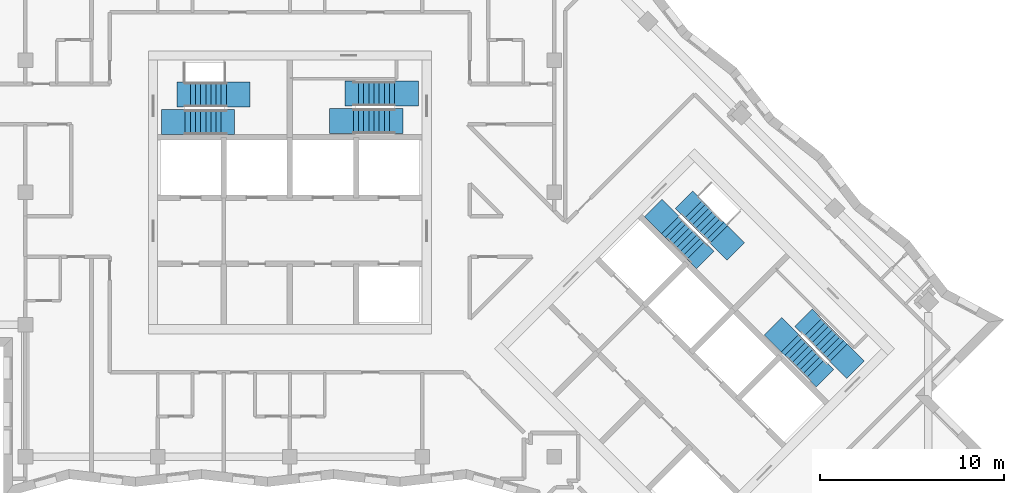
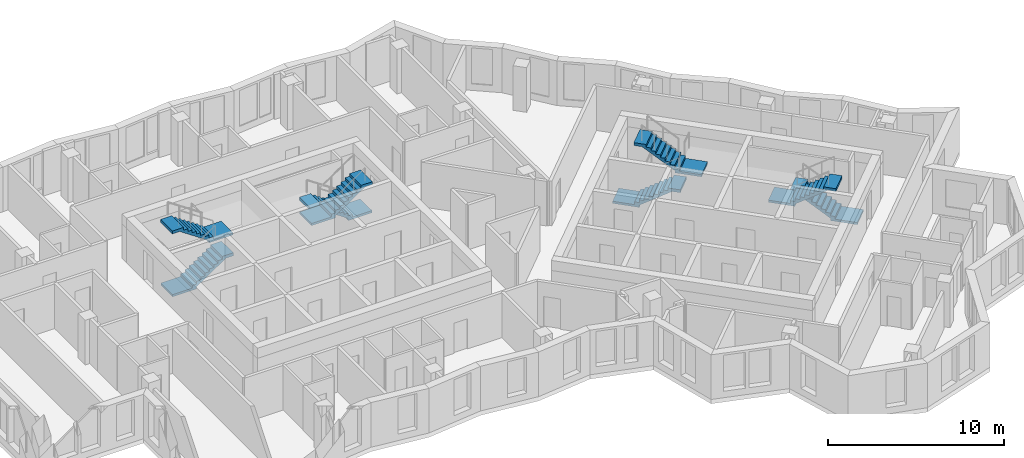
# One storey, part 10 of 13: 8 stair flights, 4 elements without a shape of their own.
"""IFC4 building model written with IfcOpenShell, lengths in metres."""

from ifc_helpers import new_model, si_unit, direction, frame, origin, place, context, subcontext, project, spatial, polyline, outline, extrude, material, type_object, element, aggregate, save


model = new_model("IFC4")

# Units and contexts
model_context = context("Model", 3, precision=1e-05, world=origin(), true_north=direction((0.0, 1.0)))
body_context = subcontext(model_context, "Body", "Model", "MODEL_VIEW")
ifc_project = project(units=[si_unit("LENGTHUNIT", "METRE"), si_unit("AREAUNIT", "SQUARE_METRE"), si_unit("VOLUMEUNIT", "CUBIC_METRE"), si_unit("PLANEANGLEUNIT", "RADIAN"), si_unit("MASSUNIT", "GRAM", prefix="KILO")], contexts=[model_context])

# Site, building, storey
site_placement = place(None, origin())
site = spatial("IfcSite", under=ifc_project, at=site_placement, CompositionType="ELEMENT")
building_placement = place(site_placement, origin())
building = spatial("IfcBuilding", under=site, at=building_placement, Name="Windrow Commons", CompositionType="ELEMENT")
storey_placement = place(building_placement, frame((0.0, 0.0, 203.2)))
storey = spatial("IfcBuildingStorey", under=building, at=storey_placement, Name="L55", CompositionType="ELEMENT", Elevation=203.2)

# Stair, stair flights
ifc_material_1 = material(Name="Concrete C40/50", Category="concrete")
stair_type = type_object("IfcStairType", Name="Core stair", PredefinedType="HALF_TURN_STAIR", material=ifc_material_1)
placement = place(storey_placement, origin())
stair_1 = element("IfcStair", 1, at=placement, inside=storey, type_object=stair_type, Name="L55 Exit stair A1 core A", PredefinedType="HALF_TURN_STAIR")
ifc_material_2 = material(Name="Concrete C40/50", Category="concrete")
stair_flight_type = type_object("IfcStairFlightType", Name="Core stair flight", PredefinedType="STRAIGHT", material=ifc_material_2)
stair_flight_1_placement = place(storey_placement, frame((59.1, 61.425, 0.0), z_axis=(0.0, 0.0, 1.0), x_axis=(1.0, 0.0, 0.0)))
stair_flight_1 = element("IfcStairFlight", 2, at=stair_flight_1_placement, type_object=stair_flight_type, Name="ST-A1 flight 1", NumberOfRisers=9, NumberOfTreads=8, PredefinedType="STRAIGHT", RiserHeight=0.188888889, TreadLength=0.28, context=body_context, shape_type="SweptSolid", body=[
    extrude(outline(polyline([(-1.3, -0.15), (-1.3, 0.0), (0.0, 0.0), (0.0, 0.1889), (0.28, 0.1889), (0.28, 0.3778), (0.56, 0.3778), (0.56, 0.5667), (0.84, 0.5667), (0.84, 0.7556), (1.12, 0.7556), (1.12, 0.9444), (1.4, 0.9444), (1.4, 1.1333), (1.68, 1.1333), (1.68, 1.3222), (1.96, 1.3222), (1.96, 1.5111), (2.24, 1.5111), (2.69, 1.5111), (2.69, 1.3111), (2.24, 1.3111), (2.24, 1.3302), (0.2682, 0.0), (0.2682, -0.15), (-1.3, -0.15)])), frame((0.0, 0.675, 0.0), z_axis=(0.0, -1.0, 0.0), x_axis=(1.0, 0.0, 0.0)), (0.0, 0.0, 1.0), 1.35),
])
stair_flight_2_placement = place(storey_placement, frame((61.34, 62.925, 1.7), z_axis=(0.0, 0.0, 1.0), x_axis=(-1.0, 0.0, 0.0)))
stair_flight_2 = element("IfcStairFlight", 3, at=stair_flight_2_placement, type_object=stair_flight_type, Name="ST-A1 flight 2", NumberOfRisers=9, NumberOfTreads=8, PredefinedType="STRAIGHT", RiserHeight=0.188888889, TreadLength=0.28, context=body_context, shape_type="SweptSolid", body=[
    extrude(outline(polyline([(-1.3, -0.15), (-1.3, 0.0), (0.0, 0.0), (0.0, 0.1889), (0.28, 0.1889), (0.28, 0.3778), (0.56, 0.3778), (0.56, 0.5667), (0.84, 0.5667), (0.84, 0.7556), (1.12, 0.7556), (1.12, 0.9444), (1.4, 0.9444), (1.4, 1.1333), (1.68, 1.1333), (1.68, 1.3222), (1.96, 1.3222), (1.96, 1.5111), (2.24, 1.5111), (2.69, 1.5111), (2.69, 1.3111), (2.24, 1.3111), (2.24, 1.3302), (0.2682, 0.0), (0.2682, -0.15), (-1.3, -0.15)])), frame((0.0, 0.675, 0.0), z_axis=(0.0, -1.0, 0.0), x_axis=(1.0, 0.0, 0.0)), (0.0, 0.0, 1.0), 1.35),
])
aggregate(stair_1, [stair_flight_1, stair_flight_2])

stair_2 = element("IfcStair", 4, at=placement, inside=storey, type_object=stair_type, Name="L55 Exit stair A2 core A", PredefinedType="HALF_TURN_STAIR")
stair_flight_3_placement = place(storey_placement, frame((70.5, 62.98, 0.0), z_axis=(0.0, 0.0, 1.0), x_axis=(-1.0, 0.0, 0.0)))
stair_flight_3 = element("IfcStairFlight", 5, at=stair_flight_3_placement, type_object=stair_flight_type, Name="ST-A2 flight 1", NumberOfRisers=9, NumberOfTreads=8, PredefinedType="STRAIGHT", RiserHeight=0.188888889, TreadLength=0.28, context=body_context, shape_type="SweptSolid", body=[
    extrude(outline(polyline([(-1.3, -0.15), (-1.3, 0.0), (0.0, 0.0), (0.0, 0.1889), (0.28, 0.1889), (0.28, 0.3778), (0.56, 0.3778), (0.56, 0.5667), (0.84, 0.5667), (0.84, 0.7556), (1.12, 0.7556), (1.12, 0.9444), (1.4, 0.9444), (1.4, 1.1333), (1.68, 1.1333), (1.68, 1.3222), (1.96, 1.3222), (1.96, 1.5111), (2.24, 1.5111), (2.69, 1.5111), (2.69, 1.3111), (2.24, 1.3111), (2.24, 1.3302), (0.2682, 0.0), (0.2682, -0.15), (-1.3, -0.15)])), frame((0.0, 0.675, 0.0), z_axis=(0.0, -1.0, 0.0), x_axis=(1.0, 0.0, 0.0)), (0.0, 0.0, 1.0), 1.35),
])
stair_flight_4_placement = place(storey_placement, frame((68.26, 61.48, 1.7), z_axis=(0.0, 0.0, 1.0), x_axis=(1.0, 0.0, 0.0)))
stair_flight_4 = element("IfcStairFlight", 6, at=stair_flight_4_placement, type_object=stair_flight_type, Name="ST-A2 flight 2", NumberOfRisers=9, NumberOfTreads=8, PredefinedType="STRAIGHT", RiserHeight=0.188888889, TreadLength=0.28, context=body_context, shape_type="SweptSolid", body=[
    extrude(outline(polyline([(-1.3, -0.15), (-1.3, 0.0), (0.0, 0.0), (0.0, 0.1889), (0.28, 0.1889), (0.28, 0.3778), (0.56, 0.3778), (0.56, 0.5667), (0.84, 0.5667), (0.84, 0.7556), (1.12, 0.7556), (1.12, 0.9444), (1.4, 0.9444), (1.4, 1.1333), (1.68, 1.1333), (1.68, 1.3222), (1.96, 1.3222), (1.96, 1.5111), (2.24, 1.5111), (2.69, 1.5111), (2.69, 1.3111), (2.24, 1.3111), (2.24, 1.3302), (0.2682, 0.0), (0.2682, -0.15), (-1.3, -0.15)])), frame((0.0, 0.675, 0.0), z_axis=(0.0, -1.0, 0.0), x_axis=(1.0, 0.0, 0.0)), (0.0, 0.0, 1.0), 1.35),
])
aggregate(stair_2, [stair_flight_3, stair_flight_4])

stair_3 = element("IfcStair", 7, at=placement, inside=storey, type_object=stair_type, Name="L55 Exit stair B1 core B", PredefinedType="HALF_TURN_STAIR")
stair_flight_5_placement = place(storey_placement, frame((85.5109, 55.8249, 0.0), z_axis=(0.0, 0.0, 1.0), x_axis=(0.7071067812, -0.7071067812, 0.0)))
stair_flight_5 = element("IfcStairFlight", 8, at=stair_flight_5_placement, type_object=stair_flight_type, Name="ST-B1 flight 1", NumberOfRisers=9, NumberOfTreads=8, PredefinedType="STRAIGHT", RiserHeight=0.188888889, TreadLength=0.28, context=body_context, shape_type="SweptSolid", body=[
    extrude(outline(polyline([(-1.3, -0.15), (-1.3, 0.0), (0.0, 0.0), (0.0, 0.1889), (0.28, 0.1889), (0.28, 0.3778), (0.56, 0.3778), (0.56, 0.5667), (0.84, 0.5667), (0.84, 0.7556), (1.12, 0.7556), (1.12, 0.9444), (1.4, 0.9444), (1.4, 1.1333), (1.68, 1.1333), (1.68, 1.3222), (1.96, 1.3222), (1.96, 1.5111), (2.24, 1.5111), (2.69, 1.5111), (2.69, 1.3111), (2.24, 1.3111), (2.24, 1.3302), (0.2682, 0.0), (0.2682, -0.15), (-1.3, -0.15)])), frame((0.0, 0.675, 0.0), z_axis=(0.0, -1.0, 0.0), x_axis=(1.0, 0.0, 0.0)), (0.0, 0.0, 1.0), 1.35),
])
stair_flight_6_placement = place(storey_placement, frame((88.1555, 55.3017, 1.7), z_axis=(0.0, 0.0, 1.0), x_axis=(-0.7071067812, 0.7071067812, 0.0)))
stair_flight_6 = element("IfcStairFlight", 9, at=stair_flight_6_placement, type_object=stair_flight_type, Name="ST-B1 flight 2", NumberOfRisers=9, NumberOfTreads=8, PredefinedType="STRAIGHT", RiserHeight=0.188888889, TreadLength=0.28, context=body_context, shape_type="SweptSolid", body=[
    extrude(outline(polyline([(-1.3, -0.15), (-1.3, 0.0), (0.0, 0.0), (0.0, 0.1889), (0.28, 0.1889), (0.28, 0.3778), (0.56, 0.3778), (0.56, 0.5667), (0.84, 0.5667), (0.84, 0.7556), (1.12, 0.7556), (1.12, 0.9444), (1.4, 0.9444), (1.4, 1.1333), (1.68, 1.1333), (1.68, 1.3222), (1.96, 1.3222), (1.96, 1.5111), (2.24, 1.5111), (2.69, 1.5111), (2.69, 1.3111), (2.24, 1.3111), (2.24, 1.3302), (0.2682, 0.0), (0.2682, -0.15), (-1.3, -0.15)])), frame((0.0, 0.675, 0.0), z_axis=(0.0, -1.0, 0.0), x_axis=(1.0, 0.0, 0.0)), (0.0, 0.0, 1.0), 1.35),
])
aggregate(stair_3, [stair_flight_5, stair_flight_6])

stair_4 = element("IfcStair", 10, at=placement, inside=storey, type_object=stair_type, Name="L55 Exit stair B2 core B", PredefinedType="HALF_TURN_STAIR")
stair_flight_7_placement = place(storey_placement, frame((94.6715, 48.8635, 0.0), z_axis=(0.0, 0.0, 1.0), x_axis=(-0.7071067812, 0.7071067812, 0.0)))
stair_flight_7 = element("IfcStairFlight", 11, at=stair_flight_7_placement, type_object=stair_flight_type, Name="ST-B2 flight 1", NumberOfRisers=9, NumberOfTreads=8, PredefinedType="STRAIGHT", RiserHeight=0.188888889, TreadLength=0.28, context=body_context, shape_type="SweptSolid", body=[
    extrude(outline(polyline([(-1.3, -0.15), (-1.3, 0.0), (0.0, 0.0), (0.0, 0.1889), (0.28, 0.1889), (0.28, 0.3778), (0.56, 0.3778), (0.56, 0.5667), (0.84, 0.5667), (0.84, 0.7556), (1.12, 0.7556), (1.12, 0.9444), (1.4, 0.9444), (1.4, 1.1333), (1.68, 1.1333), (1.68, 1.3222), (1.96, 1.3222), (1.96, 1.5111), (2.24, 1.5111), (2.69, 1.5111), (2.69, 1.3111), (2.24, 1.3111), (2.24, 1.3302), (0.2682, 0.0), (0.2682, -0.15), (-1.3, -0.15)])), frame((0.0, 0.675, 0.0), z_axis=(0.0, -1.0, 0.0), x_axis=(1.0, 0.0, 0.0)), (0.0, 0.0, 1.0), 1.35),
])
stair_flight_8_placement = place(storey_placement, frame((92.0269, 49.3867, 1.7), z_axis=(0.0, 0.0, 1.0), x_axis=(0.7071067812, -0.7071067812, 0.0)))
stair_flight_8 = element("IfcStairFlight", 12, at=stair_flight_8_placement, type_object=stair_flight_type, Name="ST-B2 flight 2", NumberOfRisers=9, NumberOfTreads=8, PredefinedType="STRAIGHT", RiserHeight=0.188888889, TreadLength=0.28, context=body_context, shape_type="SweptSolid", body=[
    extrude(outline(polyline([(-1.3, -0.15), (-1.3, 0.0), (0.0, 0.0), (0.0, 0.1889), (0.28, 0.1889), (0.28, 0.3778), (0.56, 0.3778), (0.56, 0.5667), (0.84, 0.5667), (0.84, 0.7556), (1.12, 0.7556), (1.12, 0.9444), (1.4, 0.9444), (1.4, 1.1333), (1.68, 1.1333), (1.68, 1.3222), (1.96, 1.3222), (1.96, 1.5111), (2.24, 1.5111), (2.69, 1.5111), (2.69, 1.3111), (2.24, 1.3111), (2.24, 1.3302), (0.2682, 0.0), (0.2682, -0.15), (-1.3, -0.15)])), frame((0.0, 0.675, 0.0), z_axis=(0.0, -1.0, 0.0), x_axis=(1.0, 0.0, 0.0)), (0.0, 0.0, 1.0), 1.35),
])
aggregate(stair_4, [stair_flight_7, stair_flight_8])

save(model, "model.ifc")
